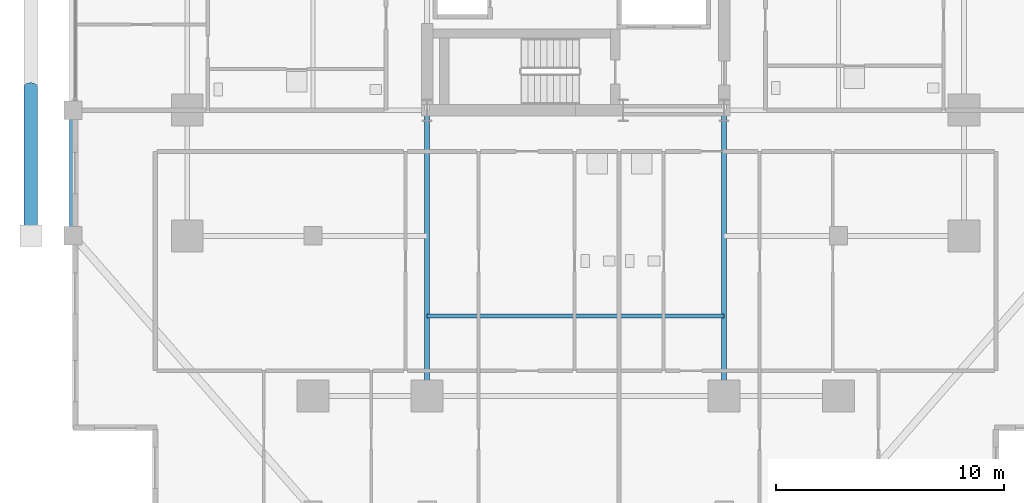
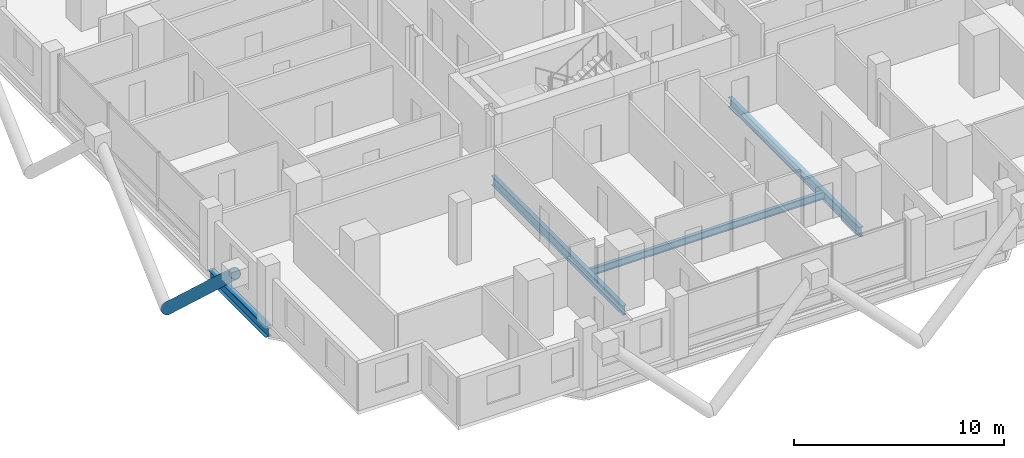
# One storey, part 3 of 23: 4 beams, 1 member.
"""IFC4 building model written with IfcOpenShell, lengths in metres."""

from ifc_helpers import new_model, si_unit, direction, frame, origin, origin_2d, place, context, subcontext, project, spatial, hollow_circle, i_section, extrude, material, material_profile, profile_set, type_object, element, save


model = new_model("IFC4")

# Units and contexts
model_context = context("Model", 3, precision=1e-05, world=origin(), true_north=direction((0.0, 1.0)))
body_context = subcontext(model_context, "Body", "Model", "MODEL_VIEW")
ifc_project = project(units=[si_unit("LENGTHUNIT", "METRE"), si_unit("AREAUNIT", "SQUARE_METRE"), si_unit("VOLUMEUNIT", "CUBIC_METRE"), si_unit("PLANEANGLEUNIT", "RADIAN"), si_unit("MASSUNIT", "GRAM", prefix="KILO")], contexts=[model_context])

# Site, building, storey
site_placement = place(None, origin())
site = spatial("IfcSite", under=ifc_project, at=site_placement, CompositionType="ELEMENT")
building_placement = place(site_placement, origin())
building = spatial("IfcBuilding", under=site, at=building_placement, Name="Barlavira Tower and Art Museum", CompositionType="ELEMENT")
storey_placement = place(building_placement, frame((0.0, 0.0, 36.0)))
storey = spatial("IfcBuildingStorey", under=building, at=storey_placement, Name="L07", CompositionType="ELEMENT", Elevation=36.0)

# Member
ifc_material = material(Name="Steel S355", Category="steel")
ifc_material_profile_1 = material_profile(ifc_material, hollow_circle(Radius=0.304931640625, WallThickness=0.028076171875, at=origin_2d()), Name="CHS 610.0x28.0")
ifc_profile_set_1 = profile_set([ifc_material_profile_1], Name="Steel S355")
member_type = type_object("IfcMemberType", Name="Pale-Metal Exoskeleton Diagrid Tube CHS 610x28 Steel S355", PredefinedType="BRACE", material=ifc_profile_set_1)
member_placement = place(storey_placement, frame((-23.85009765625, -6.5, -2.52001953125), z_axis=(0.0, -0.734803444627, 0.678280102733), x_axis=(1.0, 0.0, 0.0)))
element("IfcMember", 1, at=member_placement, inside=storey, type_object=member_type, Name="L07 Exoskeleton Diagrid Tube W", PredefinedType="BRACE", context=body_context, shape_type="SweptSolid", body=[
    extrude(hollow_circle(Radius=0.304931640625, WallThickness=0.028076171875, at=origin_2d()), origin(), (0.0, 0.0, 1.0), 8.845947265625),
])

# Beams
ifc_material_profile_2 = material_profile(ifc_material, i_section(OverallWidth=0.327880859375, OverallDepth=0.62890625, WebThickness=0.013916015625, FlangeThickness=0.021484375, at=origin_2d()), Name="W610x174.0")
ifc_profile_set_2 = profile_set([ifc_material_profile_2], Name="Steel S355")
beam_type_1 = type_object("IfcBeamType", Name="Perimeter Spandrel Edge Beam W610x174 Steel S355", PredefinedType="SPANDREL", material=ifc_profile_set_2)
beam_1_placement = place(storey_placement, frame((-22.0, -13.0, -0.534423828125), z_axis=(0.0, 1.0, 0.0), x_axis=(-1.0, 0.0, 0.0)))
element("IfcBeam", 2, at=beam_1_placement, inside=storey, type_object=beam_type_1, Name="L07 Spandrel 15", PredefinedType="SPANDREL", context=body_context, shape_type="SweptSolid", body=[
    extrude(i_section(OverallWidth=0.327880859375, OverallDepth=0.62890625, WebThickness=0.013916015625, FlangeThickness=0.021484375, at=origin_2d()), origin(), (0.0, 0.0, 1.0), 5.5),
])
ifc_material_profile_3 = material_profile(ifc_material, i_section(OverallWidth=0.180908203125, OverallDepth=0.4169921875, WebThickness=0.010986328125, FlangeThickness=0.018310546875, at=origin_2d()), Name="W410x85.0")
ifc_profile_set_3 = profile_set([ifc_material_profile_3], Name="Steel S355")
beam_type_2 = type_object("IfcBeamType", Name="Zone 1 Composite Floor Joist W410x85 Steel S355", PredefinedType="JOIST", material=ifc_profile_set_3)
beam_2_placement = place(storey_placement, frame((-6.5, -16.5, -0.428466796875), z_axis=(1.0, 0.0, 0.0), x_axis=(0.0, 1.0, 0.0)))
element("IfcBeam", 3, at=beam_2_placement, inside=storey, type_object=beam_type_2, Name="L07 Joist C1", PredefinedType="JOIST", context=body_context, shape_type="SweptSolid", body=[
    extrude(i_section(OverallWidth=0.180908203125, OverallDepth=0.4169921875, WebThickness=0.010986328125, FlangeThickness=0.018310546875, at=origin_2d()), origin(), (0.0, 0.0, 1.0), 13.0),
])
ifc_material_profile_4 = material_profile(ifc_material, i_section(OverallWidth=0.214111328125, OverallDepth=0.549072265625, WebThickness=0.0146484375, FlangeThickness=0.023681640625, at=origin_2d()), Name="W530x138.0")
ifc_profile_set_4 = profile_set([ifc_material_profile_4], Name="Steel S355")
beam_type_3 = type_object("IfcBeamType", Name="Zone 1 Primary Floor Girder W530x138 Steel S355", PredefinedType="BEAM", material=ifc_profile_set_4)
for number, where, z_axis, x_axis, name in (
    (4, (-6.5, -20.0, -0.494384765625), (0.0, 1.0, 0.0), (-1.0, 0.0, 0.0), "L07 Girder R-S1"),
    (5, (6.5, -20.0, -0.494384765625), (0.0, 1.0, 0.0), (-1.0, 0.0, 0.0), "L07 Girder R-S2"),
):
    element("IfcBeam", number, at=place(storey_placement, frame(where, z_axis=z_axis, x_axis=x_axis)), inside=storey, type_object=beam_type_3, Name=name, PredefinedType="BEAM", context=body_context, shape_type="SweptSolid", body=[
        extrude(i_section(OverallWidth=0.214111328125, OverallDepth=0.549072265625, WebThickness=0.0146484375, FlangeThickness=0.023681640625, at=origin_2d()), origin(), (0.0, 0.0, 1.0), 12.5),
    ])

save(model, "model.ifc")
